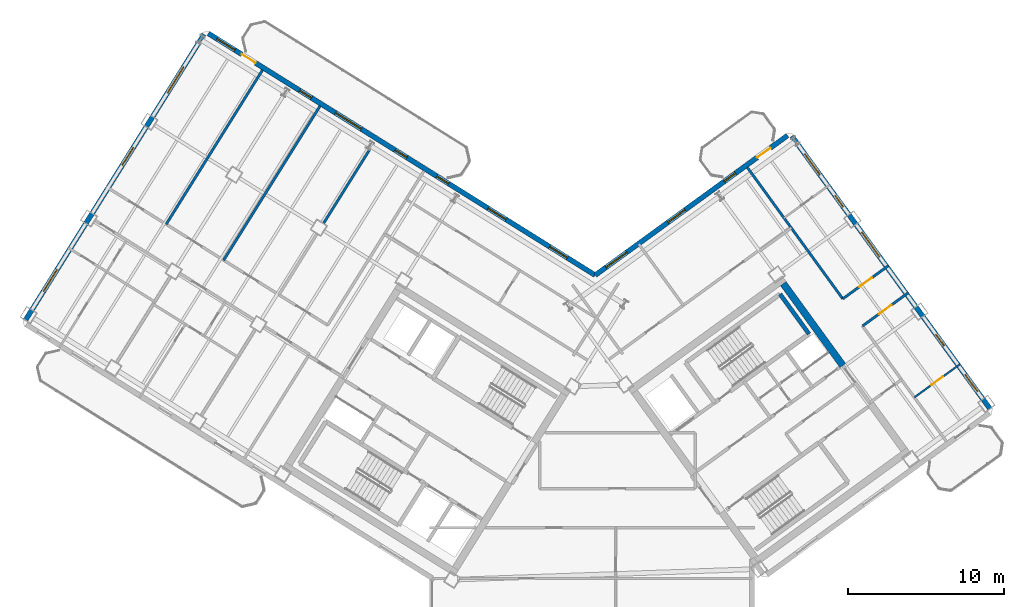
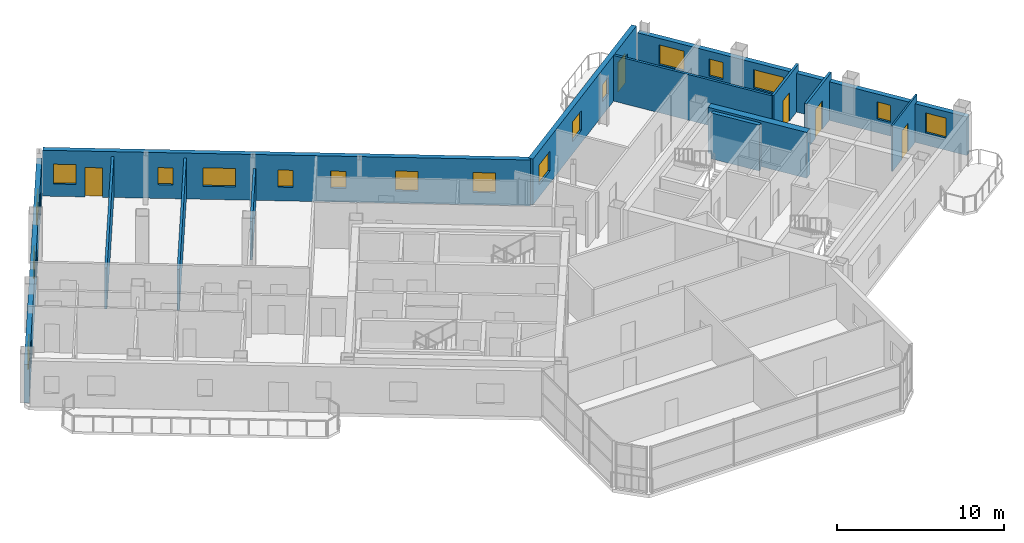
# One storey, part 15 of 20: 18 windows, 13 walls, 5 doors, 23 openings.
"""IFC4 building model written with IfcOpenShell, lengths in metres."""

from ifc_helpers import new_model, si_unit, direction, frame, frame_2d, origin, place, context, subcontext, project, spatial, rectangle, extrude, source, transform, mapped, material, layer, layer_set, type_object, element, fill, save


model = new_model("IFC4")

# Units and contexts
model_context = context("Model", 3, precision=1e-05, world=origin(), true_north=direction((0.0, 1.0)))
body_context = subcontext(model_context, "Body", "Model", "MODEL_VIEW")
ifc_project = project(units=[si_unit("LENGTHUNIT", "METRE"), si_unit("AREAUNIT", "SQUARE_METRE"), si_unit("VOLUMEUNIT", "CUBIC_METRE"), si_unit("PLANEANGLEUNIT", "RADIAN"), si_unit("MASSUNIT", "GRAM", prefix="KILO")], contexts=[model_context])

# Site, building, storey
site_placement = place(None, origin())
site = spatial("IfcSite", under=ifc_project, at=site_placement, CompositionType="ELEMENT")
building_placement = place(site_placement, origin())
building = spatial("IfcBuilding", under=site, at=building_placement, Name="Tlacorven Tower", CompositionType="ELEMENT")
storey_placement = place(building_placement, frame((0.0, 0.0, 211.199951171875)))
storey = spatial("IfcBuildingStorey", under=building, at=storey_placement, Name="L53", CompositionType="ELEMENT", Elevation=211.199951171875)

# Walls
ifc_material_1 = material(Name="Concrete C50/60", Category="concrete")
ifc_layer_1 = layer(ifc_material_1, 0.449951171875)
ifc_layer_set_1 = layer_set([ifc_layer_1], Name="Concrete C50/60")
wall_type_1 = type_object("IfcWallType", Name="WL-COR-450", PredefinedType="SHEAR", material=ifc_layer_set_1)
wall_1_placement = place(storey_placement, frame((58.06396484375, 25.8134765625, 0.0), z_axis=(0.0, 0.0, 1.0), x_axis=(-0.587774812919, 0.809024578921, 0.0)))
element("IfcWall", 1, at=wall_1_placement, inside=storey, type_object=wall_type_1, Name="L53 E core end wall E2.2", PredefinedType="SHEAR", context=body_context, shape_type="SweptSolid", body=[
    extrude(rectangle(XDim=6.47509765625, YDim=0.449951171875, at=frame_2d((3.237548828125, 0.0))), origin(), (0.0, 0.0, 1.0), 3.35009765625),
])
ifc_material_2 = material(Name="Gypsum plasterboard acoustic partition", Category="gypsum")
ifc_layer_2 = layer(ifc_material_2, 0.159912109375)
ifc_layer_set_2 = layer_set([ifc_layer_2], Name="Gypsum plasterboard acoustic partition")
wall_type_2 = type_object("IfcWallType", Name="WL-DEM-160", PredefinedType="PARTITIONING", material=ifc_layer_set_2)
wall_2_placement = place(storey_placement, frame((27.73046875, 39.596923828125, 0.0), z_axis=(0.0, 0.0, 1.0), x_axis=(-0.529919150083, -0.848048167486, 0.0)))
element("IfcWall", 2, at=wall_2_placement, inside=storey, type_object=wall_type_2, Name="L53 partition 55", PredefinedType="PARTITIONING", context=body_context, shape_type="SweptSolid", body=[
    extrude(rectangle(XDim=5.5009765625, YDim=0.159912109375, at=frame_2d((2.75048828125, 0.0))), origin(), (0.0, 0.0, 1.0), 2.824951171875),
])
for number, where, z_axis, x_axis, name in (
    (3, (24.577880859375, 42.43603515625, 0.0), (0.0, 0.0, 1.0), (-0.529916055051, -0.848050101468, 0.0), "L53 partition 56"),
    (4, (20.89404296875, 44.738037109375, 0.0), (0.0, 0.0, 1.0), (-0.529916055051, -0.848050101468, 0.0), "L53 partition 57"),
):
    element("IfcWall", number, at=place(storey_placement, frame(where, z_axis=z_axis, x_axis=x_axis)), inside=storey, type_object=wall_type_2, Name=name, PredefinedType="PARTITIONING", context=body_context, shape_type="SweptSolid", body=[
        extrude(rectangle(XDim=11.650146484375, YDim=0.159912109375, at=frame_2d((5.8251953125, 0.0))), origin(), (0.0, 0.0, 1.0), 2.9951171875),
    ])
wall_3_placement = place(storey_placement, frame((58.06689453125, 30.080078125, 0.0), z_axis=(0.0, 0.0, 1.0), x_axis=(-0.587787785243, 0.809015154073, 0.0)))
element("IfcWall", 5, at=wall_3_placement, inside=storey, type_object=wall_type_2, Name="L53 partition 78", PredefinedType="PARTITIONING", context=body_context, shape_type="SweptSolid", body=[
    extrude(rectangle(XDim=10.400146484375, YDim=0.159912109375, at=frame_2d((5.2001953125, 0.0))), origin(), (0.0, 0.0, 1.0), 3.340087890625),
])

# Wall, opening, door
wall_4_placement = place(storey_placement, frame((59.33056640625, 28.340576171875, 0.0), z_axis=(0.0, 0.0, 1.0), x_axis=(0.809003564202, 0.587803736896, 0.0)))
wall_4 = element("IfcWall", 6, at=wall_4_placement, inside=storey, type_object=wall_type_2, Name="L53 partition 80", PredefinedType="PARTITIONING", context=body_context, shape_type="SweptSolid", body=[
    extrude(rectangle(XDim=3.630126953125, YDim=0.159912109375, at=frame_2d((1.81494140625, 0.0))), origin(), (0.0, 0.0, 1.0), 3.340087890625),
])
opening_1_placement = place(wall_4_placement, frame((1.304931640625, 0.0, 0.0)))
opening_1 = element("IfcOpeningElement", 7, at=opening_1_placement, cuts=wall_4, Name="Opening D11", PredefinedType="OPENING", context=body_context, shape_type="SweptSolid", body=[
    extrude(rectangle(XDim=1.0, YDim=2.10009765625, at=frame_2d((0.5, 1.050048828125))), frame((0.0, 0.08984375, 0.0), z_axis=(0.0, -1.0, 0.0), x_axis=(1.0, 0.0, 0.0)), (0.0, 0.0, 1.0), 0.179931640625),
])
ifc_material_3 = material(Name="Fire-rated steel door assembly", Category="steel")
door_type_1 = type_object("IfcDoorType", Name="DR-FLT-FD60-1000", OperationType="NOTDEFINED", PredefinedType="DOOR", material=ifc_material_3)
shared_shape_1 = source(origin(), body_context, "Body", "SweptSolid", [
    extrude(rectangle(XDim=1.0, YDim=2.10009765625, at=frame_2d((0.5, 1.050048828125))), frame((0.0, 0.02490234375, 0.0), z_axis=(0.0, -1.0, 0.0), x_axis=(1.0, 0.0, 0.0)), (0.0, 0.0, 1.0), 0.050048828125),
])
door_1_placement = place(opening_1_placement, origin())
door_1 = element("IfcDoor", 8, at=door_1_placement, inside=storey, type_object=door_type_1, Name="L53 door 054", OperationType="SINGLE_SWING_RIGHT", OverallHeight=2.10009765625, OverallWidth=1.0, PredefinedType="DOOR", context=body_context, shape_type="MappedRepresentation", body=[
    mapped(shared_shape_1, transform((0.0, 0.0, 0.0), scale=1.0)),
])
fill(opening_1, door_1)

wall_5_placement = place(storey_placement, frame((58.06689453125, 30.080078125, 0.0), z_axis=(0.0, 0.0, 1.0), x_axis=(0.809012309495, 0.587791700422, 0.0)))
wall_5 = element("IfcWall", 9, at=wall_5_placement, inside=storey, type_object=wall_type_2, Name="L53 partition 81", PredefinedType="PARTITIONING", context=body_context, shape_type="SweptSolid", body=[
    extrude(rectangle(XDim=3.6298828125, YDim=0.159912109375, at=frame_2d((1.81494140625, 0.0))), origin(), (0.0, 0.0, 1.0), 3.340087890625),
])
opening_2_placement = place(wall_5_placement, frame((1.304931640625, 0.0, 0.0)))
opening_2 = element("IfcOpeningElement", 10, at=opening_2_placement, cuts=wall_5, Name="Opening D11", PredefinedType="OPENING", context=body_context, shape_type="SweptSolid", body=[
    extrude(rectangle(XDim=1.0, YDim=2.10009765625, at=frame_2d((0.5, 1.050048828125))), frame((0.0, 0.08984375, 0.0), z_axis=(0.0, -1.0, 0.0), x_axis=(1.0, 0.0, 0.0)), (0.0, 0.0, 1.0), 0.179931640625),
])
door_2_placement = place(opening_2_placement, origin())
door_2 = element("IfcDoor", 11, at=door_2_placement, inside=storey, type_object=door_type_1, Name="L53 door 052", OperationType="SINGLE_SWING_RIGHT", OverallHeight=2.10009765625, OverallWidth=1.0, PredefinedType="DOOR", context=body_context, shape_type="MappedRepresentation", body=[
    mapped(shared_shape_1, transform((0.0, 0.0, 0.0), scale=1.0)),
])
fill(opening_2, door_2)

# Wall, openings, windows
ifc_material_4 = material(Name="Precast concrete C45/55", Category="concrete")
ifc_layer_3 = layer(ifc_material_4, 0.320068359375)
ifc_layer_set_3 = layer_set([ifc_layer_3], Name="Precast concrete C45/55")
wall_type_3 = type_object("IfcWallType", Name="WL-EXT-320", PredefinedType="STANDARD", material=ifc_layer_set_3)
wall_6_placement = place(storey_placement, frame((5.699951171875, 28.71044921875, 0.0), z_axis=(0.0, 0.0, 1.0), x_axis=(0.529923711467, 0.8480453172, 0.0)))
wall_6 = element("IfcWall", 12, at=wall_6_placement, inside=storey, type_object=wall_type_3, Name="L53 Masonry-Frame Recessed Facade Wall 2", PredefinedType="STANDARD", context=body_context, shape_type="SweptSolid", body=[
    extrude(rectangle(XDim=21.58740234375, YDim=0.320068359375, at=frame_2d((10.793701171875, 0.0))), origin(), (0.0, 0.0, 1.0), 2.824951171875),
])
opening_3_placement = place(wall_6_placement, frame((2.18359375, 0.0, 0.89990234375)))
opening_3 = element("IfcOpeningElement", 13, at=opening_3_placement, cuts=wall_6, Name="Opening WN07", PredefinedType="OPENING", context=body_context, shape_type="SweptSolid", body=[
    extrude(rectangle(XDim=1.64990234375, YDim=1.449951171875, at=frame_2d((0.824951171875, 0.72509765625))), frame((0.0, 0.169921875, 0.0), z_axis=(0.0, -1.0, 0.0), x_axis=(1.0, 0.0, 0.0)), (0.0, 0.0, 1.0), 0.340087890625),
])
opening_4_placement = place(wall_6_placement, frame((11.708740234375, 0.0, 0.89990234375)))
opening_4 = element("IfcOpeningElement", 14, at=opening_4_placement, cuts=wall_6, Name="Opening WN08", PredefinedType="OPENING", context=body_context, shape_type="SweptSolid", body=[
    extrude(rectangle(XDim=1.35009765625, YDim=1.449951171875, at=frame_2d((0.675048828125, 0.72509765625))), frame((0.0, 0.169921875, 0.0), z_axis=(0.0, -1.0, 0.0), x_axis=(1.0, 0.0, 0.0)), (0.0, 0.0, 1.0), 0.340087890625),
])
opening_5_placement = place(wall_6_placement, frame((17.18115234375, 0.0, 0.949951171875)))
opening_5 = element("IfcOpeningElement", 15, at=opening_5_placement, cuts=wall_6, Name="Opening WN09", PredefinedType="OPENING", context=body_context, shape_type="SweptSolid", body=[
    extrude(rectangle(XDim=1.949951171875, YDim=1.35009765625, at=frame_2d((0.97509765625, 0.675048828125))), frame((0.0, 0.169921875, 0.0), z_axis=(0.0, -1.0, 0.0), x_axis=(1.0, 0.0, 0.0)), (0.0, 0.0, 1.0), 0.340087890625),
])
ifc_material_5 = material(Name="Dark solar low-E double glazing in anodised aluminium frame", Category="aluminium")
window_type_1 = type_object("IfcWindowType", Name="WN-APT-1650X1600", PartitioningType="SINGLE_PANEL", PredefinedType="WINDOW", material=ifc_material_5)
shared_shape_2 = source(origin(), body_context, "Body", "SweptSolid", [
    extrude(rectangle(XDim=1.64990234375, YDim=1.449951171875, at=frame_2d((0.824951171875, 0.72509765625))), frame((0.0, 0.030029296875, 0.0), z_axis=(0.0, -1.0, 0.0), x_axis=(1.0, 0.0, 0.0)), (0.0, 0.0, 1.0), 0.06005859375),
])
window_1_placement = place(opening_3_placement, origin())
window_1 = element("IfcWindow", 16, at=window_1_placement, inside=storey, type_object=window_type_1, Name="L53 Recessed Masonry-Frame Window L53-02.1", OverallHeight=1.449951171875, OverallWidth=1.64990234375, PartitioningType="SINGLE_PANEL", PredefinedType="WINDOW", context=body_context, shape_type="MappedRepresentation", body=[
    mapped(shared_shape_2, transform((0.0, 0.0, 0.0), scale=1.0)),
])
fill(opening_3, window_1)
window_type_2 = type_object("IfcWindowType", Name="WN-APT-1350X1550", PartitioningType="SINGLE_PANEL", PredefinedType="WINDOW", material=ifc_material_5)
shared_shape_3 = source(origin(), body_context, "Body", "SweptSolid", [
    extrude(rectangle(XDim=1.35009765625, YDim=1.449951171875, at=frame_2d((0.675048828125, 0.72509765625))), frame((0.0, 0.030029296875, 0.0), z_axis=(0.0, -1.0, 0.0), x_axis=(1.0, 0.0, 0.0)), (0.0, 0.0, 1.0), 0.06005859375),
])
window_2_placement = place(opening_4_placement, origin())
window_2 = element("IfcWindow", 17, at=window_2_placement, inside=storey, type_object=window_type_2, Name="L53 Recessed Masonry-Frame Window L53-02.2", OverallHeight=1.449951171875, OverallWidth=1.35009765625, PartitioningType="SINGLE_PANEL", PredefinedType="WINDOW", context=body_context, shape_type="MappedRepresentation", body=[
    mapped(shared_shape_3, transform((0.0, 0.0, 0.0), scale=1.0)),
])
fill(opening_4, window_2)
window_type_3 = type_object("IfcWindowType", Name="WN-GAL-1950X1450", PartitioningType="SINGLE_PANEL", PredefinedType="WINDOW", material=ifc_material_5)
shared_shape_4 = source(origin(), body_context, "Body", "SweptSolid", [
    extrude(rectangle(XDim=1.949951171875, YDim=1.35009765625, at=frame_2d((0.97509765625, 0.675048828125))), frame((0.0, 0.030029296875, 0.0), z_axis=(0.0, -1.0, 0.0), x_axis=(1.0, 0.0, 0.0)), (0.0, 0.0, 1.0), 0.06005859375),
])
window_3_placement = place(opening_5_placement, origin())
window_3 = element("IfcWindow", 18, at=window_3_placement, inside=storey, type_object=window_type_3, Name="L53 Recessed Masonry-Frame Window L53-02.3", OverallHeight=1.35009765625, OverallWidth=1.949951171875, PartitioningType="SINGLE_PANEL", PredefinedType="WINDOW", context=body_context, shape_type="MappedRepresentation", body=[
    mapped(shared_shape_4, transform((0.0, 0.0, 0.0), scale=1.0)),
])
fill(opening_5, window_3)

# Wall, openings, door, windows
wall_7_placement = place(storey_placement, frame((17.423828125, 47.083251953125, 0.0), z_axis=(0.0, 0.0, 1.0), x_axis=(0.848049927979, -0.529916332693, 0.0)))
wall_7 = element("IfcWall", 19, at=wall_7_placement, inside=storey, type_object=wall_type_3, Name="L53 Masonry-Frame Recessed Facade Wall 3", PredefinedType="STANDARD", context=body_context, shape_type="SweptSolid", body=[
    extrude(rectangle(XDim=29.22314453125, YDim=0.320068359375, at=frame_2d((14.611572265625, 0.0))), origin(), (0.0, 0.0, 1.0), 3.35009765625),
])
opening_6_placement = place(wall_7_placement, frame((2.525634765625, 0.0, 0.0)))
opening_6 = element("IfcOpeningElement", 20, at=opening_6_placement, cuts=wall_7, Name="Opening D06", PredefinedType="OPENING", context=body_context, shape_type="SweptSolid", body=[
    extrude(rectangle(XDim=1.050048828125, YDim=2.14990234375, at=frame_2d((0.52490234375, 1.074951171875))), frame((0.0, 0.169921875, 0.0), z_axis=(0.0, -1.0, 0.0), x_axis=(1.0, 0.0, 0.0)), (0.0, 0.0, 1.0), 0.340087890625),
])
opening_7_placement = place(wall_7_placement, frame((0.65283203125, 0.0, 0.89990234375)))
opening_7 = element("IfcOpeningElement", 21, at=opening_7_placement, cuts=wall_7, Name="Opening WN08", PredefinedType="OPENING", context=body_context, shape_type="SweptSolid", body=[
    extrude(rectangle(XDim=1.35009765625, YDim=1.449951171875, at=frame_2d((0.675048828125, 0.72509765625))), frame((0.0, 0.169921875, 0.0), z_axis=(0.0, -1.0, 0.0), x_axis=(1.0, 0.0, 0.0)), (0.0, 0.0, 1.0), 0.340087890625),
])
opening_8_placement = place(wall_7_placement, frame((6.896728515625, 0.0, 1.0)))
opening_8 = element("IfcOpeningElement", 22, at=opening_8_placement, cuts=wall_7, Name="Opening WN05", PredefinedType="OPENING", context=body_context, shape_type="SweptSolid", body=[
    extrude(rectangle(XDim=0.89990234375, YDim=1.25, at=frame_2d((0.449951171875, 0.625))), frame((0.0, 0.169921875, 0.0), z_axis=(0.0, -1.0, 0.0), x_axis=(1.0, 0.0, 0.0)), (0.0, 0.0, 1.0), 0.340087890625),
])
opening_9_placement = place(wall_7_placement, frame((9.601806640625, 0.0, 0.949951171875)))
opening_9 = element("IfcOpeningElement", 23, at=opening_9_placement, cuts=wall_7, Name="Opening WN09", PredefinedType="OPENING", context=body_context, shape_type="SweptSolid", body=[
    extrude(rectangle(XDim=1.949951171875, YDim=1.35009765625, at=frame_2d((0.97509765625, 0.675048828125))), frame((0.0, 0.169921875, 0.0), z_axis=(0.0, -1.0, 0.0), x_axis=(1.0, 0.0, 0.0)), (0.0, 0.0, 1.0), 0.340087890625),
])
opening_10_placement = place(wall_7_placement, frame((14.095703125, 0.0, 1.0)))
opening_10 = element("IfcOpeningElement", 24, at=opening_10_placement, cuts=wall_7, Name="Opening WN05", PredefinedType="OPENING", context=body_context, shape_type="SweptSolid", body=[
    extrude(rectangle(XDim=0.89990234375, YDim=1.25, at=frame_2d((0.449951171875, 0.625))), frame((0.0, 0.169921875, 0.0), z_axis=(0.0, -1.0, 0.0), x_axis=(1.0, 0.0, 0.0)), (0.0, 0.0, 1.0), 0.340087890625),
])
opening_11_placement = place(wall_7_placement, frame((17.253662109375, 0.0, 1.0)))
opening_11 = element("IfcOpeningElement", 25, at=opening_11_placement, cuts=wall_7, Name="Opening WN05", PredefinedType="OPENING", context=body_context, shape_type="SweptSolid", body=[
    extrude(rectangle(XDim=0.89990234375, YDim=1.25, at=frame_2d((0.449951171875, 0.625))), frame((0.0, 0.169921875, 0.0), z_axis=(0.0, -1.0, 0.0), x_axis=(1.0, 0.0, 0.0)), (0.0, 0.0, 1.0), 0.340087890625),
])
opening_12_placement = place(wall_7_placement, frame((21.138671875, 0.0, 0.89990234375)))
opening_12 = element("IfcOpeningElement", 26, at=opening_12_placement, cuts=wall_7, Name="Opening WN08", PredefinedType="OPENING", context=body_context, shape_type="SweptSolid", body=[
    extrude(rectangle(XDim=1.35009765625, YDim=1.449951171875, at=frame_2d((0.675048828125, 0.72509765625))), frame((0.0, 0.169921875, 0.0), z_axis=(0.0, -1.0, 0.0), x_axis=(1.0, 0.0, 0.0)), (0.0, 0.0, 1.0), 0.340087890625),
])
opening_13_placement = place(wall_7_placement, frame((25.7783203125, 0.0, 0.89990234375)))
opening_13 = element("IfcOpeningElement", 27, at=opening_13_placement, cuts=wall_7, Name="Opening WN08", PredefinedType="OPENING", context=body_context, shape_type="SweptSolid", body=[
    extrude(rectangle(XDim=1.35009765625, YDim=1.449951171875, at=frame_2d((0.675048828125, 0.72509765625))), frame((0.0, 0.169921875, 0.0), z_axis=(0.0, -1.0, 0.0), x_axis=(1.0, 0.0, 0.0)), (0.0, 0.0, 1.0), 0.340087890625),
])
ifc_material_6 = material(Name="Powder-coated aluminium and timber door", Category="wood")
door_type_2 = type_object("IfcDoorType", Name="DR-EXT-BALC-1050", OperationType="NOTDEFINED", PredefinedType="DOOR", material=ifc_material_6)
shared_shape_5 = source(origin(), body_context, "Body", "SweptSolid", [
    extrude(rectangle(XDim=1.050048828125, YDim=2.14990234375, at=frame_2d((0.52490234375, 1.074951171875))), frame((0.0, 0.02490234375, 0.0), z_axis=(0.0, -1.0, 0.0), x_axis=(1.0, 0.0, 0.0)), (0.0, 0.0, 1.0), 0.050048828125),
])
door_3_placement = place(opening_6_placement, origin())
door_3 = element("IfcDoor", 28, at=door_3_placement, inside=storey, type_object=door_type_2, Name="L53 Outdoor Access Door BAL-L53-W-IN", OperationType="SINGLE_SWING_RIGHT", OverallHeight=2.14990234375, OverallWidth=1.050048828125, PredefinedType="DOOR", context=body_context, shape_type="MappedRepresentation", body=[
    mapped(shared_shape_5, transform((0.0, 0.0, 0.0), scale=1.0)),
])
fill(opening_6, door_3)
window_type_4 = type_object("IfcWindowType", Name="WN-APT-0900X1350", PartitioningType="SINGLE_PANEL", PredefinedType="WINDOW", material=ifc_material_5)
shared_shape_6 = source(origin(), body_context, "Body", "SweptSolid", [
    extrude(rectangle(XDim=0.89990234375, YDim=1.25, at=frame_2d((0.449951171875, 0.625))), frame((0.0, 0.030029296875, 0.0), z_axis=(0.0, -1.0, 0.0), x_axis=(1.0, 0.0, 0.0)), (0.0, 0.0, 1.0), 0.06005859375),
])
window_4_placement = place(opening_8_placement, origin())
window_4 = element("IfcWindow", 29, at=window_4_placement, inside=storey, type_object=window_type_4, Name="L53 Recessed Masonry-Frame Window L53-03.2", OverallHeight=1.25, OverallWidth=0.89990234375, PartitioningType="SINGLE_PANEL", PredefinedType="WINDOW", context=body_context, shape_type="MappedRepresentation", body=[
    mapped(shared_shape_6, transform((0.0, 0.0, 0.0), scale=1.0)),
])
fill(opening_8, window_4)
window_5_placement = place(opening_10_placement, origin())
window_5 = element("IfcWindow", 30, at=window_5_placement, inside=storey, type_object=window_type_4, Name="L53 Recessed Masonry-Frame Window L53-03.4", OverallHeight=1.25, OverallWidth=0.89990234375, PartitioningType="SINGLE_PANEL", PredefinedType="WINDOW", context=body_context, shape_type="MappedRepresentation", body=[
    mapped(shared_shape_6, transform((0.0, 0.0, 0.0), scale=1.0)),
])
fill(opening_10, window_5)
window_6_placement = place(opening_11_placement, origin())
window_6 = element("IfcWindow", 31, at=window_6_placement, inside=storey, type_object=window_type_4, Name="L53 Recessed Masonry-Frame Window L53-03.5", OverallHeight=1.25, OverallWidth=0.89990234375, PartitioningType="SINGLE_PANEL", PredefinedType="WINDOW", context=body_context, shape_type="MappedRepresentation", body=[
    mapped(shared_shape_6, transform((0.0, 0.0, 0.0), scale=1.0)),
])
fill(opening_11, window_6)
window_7_placement = place(opening_7_placement, origin())
window_7 = element("IfcWindow", 32, at=window_7_placement, inside=storey, type_object=window_type_2, Name="L53 Recessed Masonry-Frame Window L53-03.1", OverallHeight=1.449951171875, OverallWidth=1.35009765625, PartitioningType="SINGLE_PANEL", PredefinedType="WINDOW", context=body_context, shape_type="MappedRepresentation", body=[
    mapped(shared_shape_3, transform((0.0, 0.0, 0.0), scale=1.0)),
])
fill(opening_7, window_7)
window_8_placement = place(opening_12_placement, origin())
window_8 = element("IfcWindow", 33, at=window_8_placement, inside=storey, type_object=window_type_2, Name="L53 Recessed Masonry-Frame Window L53-03.6", OverallHeight=1.449951171875, OverallWidth=1.35009765625, PartitioningType="SINGLE_PANEL", PredefinedType="WINDOW", context=body_context, shape_type="MappedRepresentation", body=[
    mapped(shared_shape_3, transform((0.0, 0.0, 0.0), scale=1.0)),
])
fill(opening_12, window_8)
window_9_placement = place(opening_13_placement, origin())
window_9 = element("IfcWindow", 34, at=window_9_placement, inside=storey, type_object=window_type_2, Name="L53 Recessed Masonry-Frame Window L53-03.7", OverallHeight=1.449951171875, OverallWidth=1.35009765625, PartitioningType="SINGLE_PANEL", PredefinedType="WINDOW", context=body_context, shape_type="MappedRepresentation", body=[
    mapped(shared_shape_3, transform((0.0, 0.0, 0.0), scale=1.0)),
])
fill(opening_13, window_9)
window_10_placement = place(opening_9_placement, origin())
window_10 = element("IfcWindow", 35, at=window_10_placement, inside=storey, type_object=window_type_3, Name="L53 Recessed Masonry-Frame Window L53-03.3", OverallHeight=1.35009765625, OverallWidth=1.949951171875, PartitioningType="SINGLE_PANEL", PredefinedType="WINDOW", context=body_context, shape_type="MappedRepresentation", body=[
    mapped(shared_shape_4, transform((0.0, 0.0, 0.0), scale=1.0)),
])
fill(opening_9, window_10)

wall_8_placement = place(storey_placement, frame((42.20654296875, 31.597412109375, 0.0), z_axis=(0.0, 0.0, 1.0), x_axis=(0.809020333377, 0.587780656523, 0.0)))
wall_8 = element("IfcWall", 36, at=wall_8_placement, inside=storey, type_object=wall_type_3, Name="L53 Masonry-Frame Recessed Facade Wall 4", PredefinedType="STANDARD", context=body_context, shape_type="SweptSolid", body=[
    extrude(rectangle(XDim=15.222900390625, YDim=0.320068359375, at=frame_2d((7.611328125, 0.0))), origin(), (0.0, 0.0, 1.0), 3.35009765625),
])
opening_14_placement = place(wall_8_placement, frame((12.81982421875, 0.0, 0.0)))
opening_14 = element("IfcOpeningElement", 37, at=opening_14_placement, cuts=wall_8, Name="Opening D06", PredefinedType="OPENING", context=body_context, shape_type="SweptSolid", body=[
    extrude(rectangle(XDim=1.050048828125, YDim=2.14990234375, at=frame_2d((0.52490234375, 1.074951171875))), frame((0.0, 0.169921875, 0.0), z_axis=(0.0, -1.0, 0.0), x_axis=(1.0, 0.0, 0.0)), (0.0, 0.0, 1.0), 0.340087890625),
])
opening_15_placement = place(wall_8_placement, frame((0.849609375, 0.0, 0.89990234375)))
opening_15 = element("IfcOpeningElement", 38, at=opening_15_placement, cuts=wall_8, Name="Opening WN07", PredefinedType="OPENING", context=body_context, shape_type="SweptSolid", body=[
    extrude(rectangle(XDim=1.64990234375, YDim=1.449951171875, at=frame_2d((0.824951171875, 0.72509765625))), frame((0.0, 0.169921875, 0.0), z_axis=(0.0, -1.0, 0.0), x_axis=(1.0, 0.0, 0.0)), (0.0, 0.0, 1.0), 0.340087890625),
])
opening_16_placement = place(wall_8_placement, frame((5.769287109375, 0.0, 0.89990234375)))
opening_16 = element("IfcOpeningElement", 39, at=opening_16_placement, cuts=wall_8, Name="Opening WN08", PredefinedType="OPENING", context=body_context, shape_type="SweptSolid", body=[
    extrude(rectangle(XDim=1.35009765625, YDim=1.449951171875, at=frame_2d((0.675048828125, 0.72509765625))), frame((0.0, 0.169921875, 0.0), z_axis=(0.0, -1.0, 0.0), x_axis=(1.0, 0.0, 0.0)), (0.0, 0.0, 1.0), 0.340087890625),
])
opening_17_placement = place(wall_8_placement, frame((10.219482421875, 0.0, 1.0)))
opening_17 = element("IfcOpeningElement", 40, at=opening_17_placement, cuts=wall_8, Name="Opening WN05", PredefinedType="OPENING", context=body_context, shape_type="SweptSolid", body=[
    extrude(rectangle(XDim=0.89990234375, YDim=1.25, at=frame_2d((0.449951171875, 0.625))), frame((0.0, 0.169921875, 0.0), z_axis=(0.0, -1.0, 0.0), x_axis=(1.0, 0.0, 0.0)), (0.0, 0.0, 1.0), 0.340087890625),
])
door_4_placement = place(opening_14_placement, origin())
door_4 = element("IfcDoor", 41, at=door_4_placement, inside=storey, type_object=door_type_2, Name="L53 Outdoor Access Door BAL-L53-E-IN", OperationType="SINGLE_SWING_RIGHT", OverallHeight=2.14990234375, OverallWidth=1.050048828125, PredefinedType="DOOR", context=body_context, shape_type="MappedRepresentation", body=[
    mapped(shared_shape_5, transform((0.0, 0.0, 0.0), scale=1.0)),
])
fill(opening_14, door_4)
window_11_placement = place(opening_17_placement, origin())
window_11 = element("IfcWindow", 42, at=window_11_placement, inside=storey, type_object=window_type_4, Name="L53 Recessed Masonry-Frame Window L53-04.3", OverallHeight=1.25, OverallWidth=0.89990234375, PartitioningType="SINGLE_PANEL", PredefinedType="WINDOW", context=body_context, shape_type="MappedRepresentation", body=[
    mapped(shared_shape_6, transform((0.0, 0.0, 0.0), scale=1.0)),
])
fill(opening_17, window_11)
window_12_placement = place(opening_15_placement, origin())
window_12 = element("IfcWindow", 43, at=window_12_placement, inside=storey, type_object=window_type_1, Name="L53 Recessed Masonry-Frame Window L53-04.1", OverallHeight=1.449951171875, OverallWidth=1.64990234375, PartitioningType="SINGLE_PANEL", PredefinedType="WINDOW", context=body_context, shape_type="MappedRepresentation", body=[
    mapped(shared_shape_2, transform((0.0, 0.0, 0.0), scale=1.0)),
])
fill(opening_15, window_12)
window_13_placement = place(opening_16_placement, origin())
window_13 = element("IfcWindow", 44, at=window_13_placement, inside=storey, type_object=window_type_2, Name="L53 Recessed Masonry-Frame Window L53-04.2", OverallHeight=1.449951171875, OverallWidth=1.35009765625, PartitioningType="SINGLE_PANEL", PredefinedType="WINDOW", context=body_context, shape_type="MappedRepresentation", body=[
    mapped(shared_shape_3, transform((0.0, 0.0, 0.0), scale=1.0)),
])
fill(opening_16, window_13)

# Wall, openings, windows
wall_9_placement = place(storey_placement, frame((54.810302734375, 40.49951171875, 0.0), z_axis=(0.0, 0.0, 1.0), x_axis=(0.587783625747, -0.809018176127, 0.0)))
wall_9 = element("IfcWall", 45, at=wall_9_placement, inside=storey, type_object=wall_type_3, Name="L53 Masonry-Frame Recessed Facade Wall 5", PredefinedType="STANDARD", context=body_context, shape_type="SweptSolid", body=[
    extrude(rectangle(XDim=21.58740234375, YDim=0.320068359375, at=frame_2d((10.793701171875, 0.0))), origin(), (0.0, 0.0, 1.0), 2.824951171875),
])
opening_18_placement = place(wall_9_placement, frame((1.402587890625, 0.0, 0.89990234375)))
opening_18 = element("IfcOpeningElement", 46, at=opening_18_placement, cuts=wall_9, Name="Opening WN07", PredefinedType="OPENING", context=body_context, shape_type="SweptSolid", body=[
    extrude(rectangle(XDim=1.64990234375, YDim=1.449951171875, at=frame_2d((0.824951171875, 0.72509765625))), frame((0.0, 0.169921875, 0.0), z_axis=(0.0, -1.0, 0.0), x_axis=(1.0, 0.0, 0.0)), (0.0, 0.0, 1.0), 0.340087890625),
])
opening_19_placement = place(wall_9_placement, frame((4.6953125, 0.0, 1.0)))
opening_19 = element("IfcOpeningElement", 47, at=opening_19_placement, cuts=wall_9, Name="Opening WN05", PredefinedType="OPENING", context=body_context, shape_type="SweptSolid", body=[
    extrude(rectangle(XDim=0.89990234375, YDim=1.25, at=frame_2d((0.449951171875, 0.625))), frame((0.0, 0.169921875, 0.0), z_axis=(0.0, -1.0, 0.0), x_axis=(1.0, 0.0, 0.0)), (0.0, 0.0, 1.0), 0.340087890625),
])
opening_20_placement = place(wall_9_placement, frame((7.603759765625, 0.0, 0.949951171875)))
opening_20 = element("IfcOpeningElement", 48, at=opening_20_placement, cuts=wall_9, Name="Opening WN09", PredefinedType="OPENING", context=body_context, shape_type="SweptSolid", body=[
    extrude(rectangle(XDim=1.949951171875, YDim=1.35009765625, at=frame_2d((0.97509765625, 0.675048828125))), frame((0.0, 0.169921875, 0.0), z_axis=(0.0, -1.0, 0.0), x_axis=(1.0, 0.0, 0.0)), (0.0, 0.0, 1.0), 0.340087890625),
])
opening_21_placement = place(wall_9_placement, frame((15.692138671875, 0.0, 1.0)))
opening_21 = element("IfcOpeningElement", 49, at=opening_21_placement, cuts=wall_9, Name="Opening WN05", PredefinedType="OPENING", context=body_context, shape_type="SweptSolid", body=[
    extrude(rectangle(XDim=0.89990234375, YDim=1.25, at=frame_2d((0.449951171875, 0.625))), frame((0.0, 0.169921875, 0.0), z_axis=(0.0, -1.0, 0.0), x_axis=(1.0, 0.0, 0.0)), (0.0, 0.0, 1.0), 0.340087890625),
])
opening_22_placement = place(wall_9_placement, frame((18.872314453125, 0.0, 0.89990234375)))
opening_22 = element("IfcOpeningElement", 50, at=opening_22_placement, cuts=wall_9, Name="Opening WN08", PredefinedType="OPENING", context=body_context, shape_type="SweptSolid", body=[
    extrude(rectangle(XDim=1.35009765625, YDim=1.449951171875, at=frame_2d((0.675048828125, 0.72509765625))), frame((0.0, 0.169921875, 0.0), z_axis=(0.0, -1.0, 0.0), x_axis=(1.0, 0.0, 0.0)), (0.0, 0.0, 1.0), 0.340087890625),
])
window_14_placement = place(opening_19_placement, origin())
window_14 = element("IfcWindow", 51, at=window_14_placement, inside=storey, type_object=window_type_4, Name="L53 Recessed Masonry-Frame Window L53-05.2", OverallHeight=1.25, OverallWidth=0.89990234375, PartitioningType="SINGLE_PANEL", PredefinedType="WINDOW", context=body_context, shape_type="MappedRepresentation", body=[
    mapped(shared_shape_6, transform((0.0, 0.0, 0.0), scale=1.0)),
])
fill(opening_19, window_14)
window_15_placement = place(opening_21_placement, origin())
window_15 = element("IfcWindow", 52, at=window_15_placement, inside=storey, type_object=window_type_4, Name="L53 Recessed Masonry-Frame Window L53-05.4", OverallHeight=1.25, OverallWidth=0.89990234375, PartitioningType="SINGLE_PANEL", PredefinedType="WINDOW", context=body_context, shape_type="MappedRepresentation", body=[
    mapped(shared_shape_6, transform((0.0, 0.0, 0.0), scale=1.0)),
])
fill(opening_21, window_15)
window_16_placement = place(opening_18_placement, origin())
window_16 = element("IfcWindow", 53, at=window_16_placement, inside=storey, type_object=window_type_1, Name="L53 Recessed Masonry-Frame Window L53-05.1", OverallHeight=1.449951171875, OverallWidth=1.64990234375, PartitioningType="SINGLE_PANEL", PredefinedType="WINDOW", context=body_context, shape_type="MappedRepresentation", body=[
    mapped(shared_shape_2, transform((0.0, 0.0, 0.0), scale=1.0)),
])
fill(opening_18, window_16)
window_17_placement = place(opening_22_placement, origin())
window_17 = element("IfcWindow", 54, at=window_17_placement, inside=storey, type_object=window_type_2, Name="L53 Recessed Masonry-Frame Window L53-05.5", OverallHeight=1.449951171875, OverallWidth=1.35009765625, PartitioningType="SINGLE_PANEL", PredefinedType="WINDOW", context=body_context, shape_type="MappedRepresentation", body=[
    mapped(shared_shape_3, transform((0.0, 0.0, 0.0), scale=1.0)),
])
fill(opening_22, window_17)
window_18_placement = place(opening_20_placement, origin())
window_18 = element("IfcWindow", 55, at=window_18_placement, inside=storey, type_object=window_type_3, Name="L53 Recessed Masonry-Frame Window L53-05.3", OverallHeight=1.35009765625, OverallWidth=1.949951171875, PartitioningType="SINGLE_PANEL", PredefinedType="WINDOW", context=body_context, shape_type="MappedRepresentation", body=[
    mapped(shared_shape_4, transform((0.0, 0.0, 0.0), scale=1.0)),
])
fill(opening_20, window_18)

# Wall, opening, door
ifc_material_7 = material(Name="Gypsum plasterboard partition", Category="gypsum")
ifc_layer_4 = layer(ifc_material_7, 0.110107421875)
ifc_layer_set_4 = layer_set([ifc_layer_4], Name="Gypsum plasterboard partition")
wall_type_4 = type_object("IfcWallType", Name="WL-INT-110", PredefinedType="PARTITIONING", material=ifc_layer_set_4)
wall_10_placement = place(storey_placement, frame((62.652587890625, 23.76806640625, 0.0), z_axis=(0.0, 0.0, 1.0), x_axis=(0.809037198293, 0.58775744298, 0.0)))
wall_10 = element("IfcWall", 56, at=wall_10_placement, inside=storey, type_object=wall_type_4, Name="L53 partition 83", PredefinedType="PARTITIONING", context=body_context, shape_type="SweptSolid", body=[
    extrude(rectangle(XDim=3.610107421875, YDim=0.110107421875, at=frame_2d((1.80517578125, 0.0))), origin(), (0.0, 0.0, 1.0), 3.340087890625),
])
opening_23_placement = place(wall_10_placement, frame((1.344970703125, 0.0, 0.0)))
opening_23 = element("IfcOpeningElement", 57, at=opening_23_placement, cuts=wall_10, Name="Opening D12", PredefinedType="OPENING", context=body_context, shape_type="SweptSolid", body=[
    extrude(rectangle(XDim=0.919921875, YDim=2.080078125, at=frame_2d((0.4599609375, 1.0400390625))), frame((0.0, 0.06494140625, 0.0), z_axis=(0.0, -1.0, 0.0), x_axis=(1.0, 0.0, 0.0)), (0.0, 0.0, 1.0), 0.130126953125),
])
door_type_3 = type_object("IfcDoorType", Name="DR-INT-ROOM-0920", OperationType="NOTDEFINED", PredefinedType="DOOR", material=ifc_material_6)
shared_shape_7 = source(origin(), body_context, "Body", "SweptSolid", [
    extrude(rectangle(XDim=0.919921875, YDim=2.080078125, at=frame_2d((0.4599609375, 1.0400390625))), frame((0.0, 0.02490234375, 0.0), z_axis=(0.0, -1.0, 0.0), x_axis=(1.0, 0.0, 0.0)), (0.0, 0.0, 1.0), 0.050048828125),
])
door_5_placement = place(opening_23_placement, origin())
door_5 = element("IfcDoor", 58, at=door_5_placement, inside=storey, type_object=door_type_3, Name="L53 door 055", OperationType="SINGLE_SWING_LEFT", OverallHeight=2.080078125, OverallWidth=0.919921875, PredefinedType="DOOR", context=body_context, shape_type="MappedRepresentation", body=[
    mapped(shared_shape_7, transform((0.0, 0.0, 0.0), scale=1.0)),
])
fill(opening_23, door_5)

# Wall
ifc_layer_5 = layer(ifc_material_1, 0.260009765625)
ifc_layer_set_5 = layer_set([ifc_layer_5], Name="Concrete C50/60")
wall_type_5 = type_object("IfcWallType", Name="WL-STW-260", PredefinedType="SHEAR", material=ifc_layer_set_5)
wall_11_placement = place(storey_placement, frame((55.906494140625, 27.83056640625, 0.0), z_axis=(0.0, 0.0, 1.0), x_axis=(-0.587804123638, 0.809003283204, 0.0)))
element("IfcWall", 59, at=wall_11_placement, inside=storey, type_object=wall_type_5, Name="L53 Stair E1 East Shear Wall", PredefinedType="SHEAR", context=body_context, shape_type="SweptSolid", body=[
    extrude(rectangle(XDim=3.159912109375, YDim=0.260009765625, at=frame_2d((1.580078125, 0.0))), origin(), (0.0, 0.0, 1.0), 3.35009765625),
])

save(model, "model.ifc")
